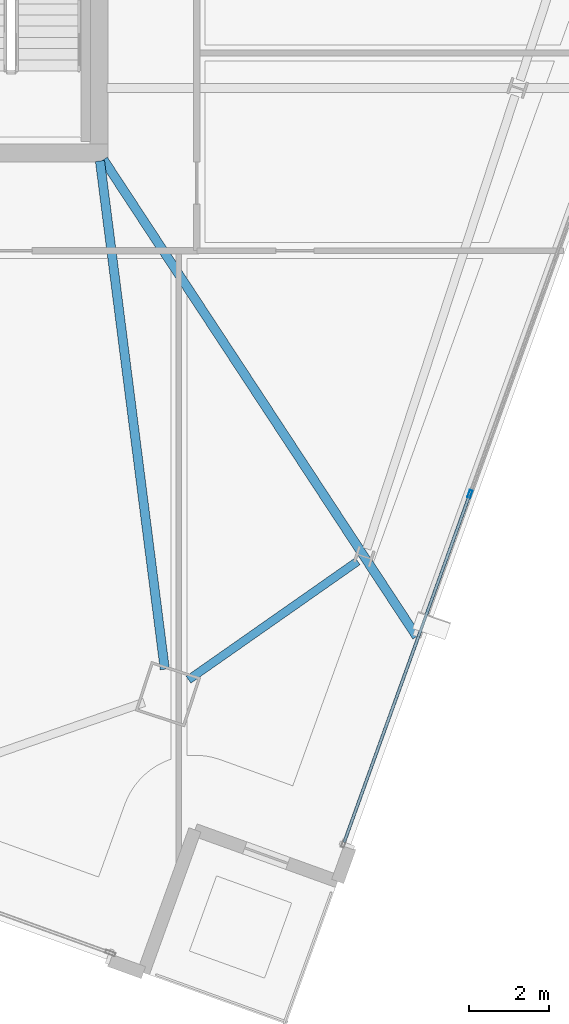
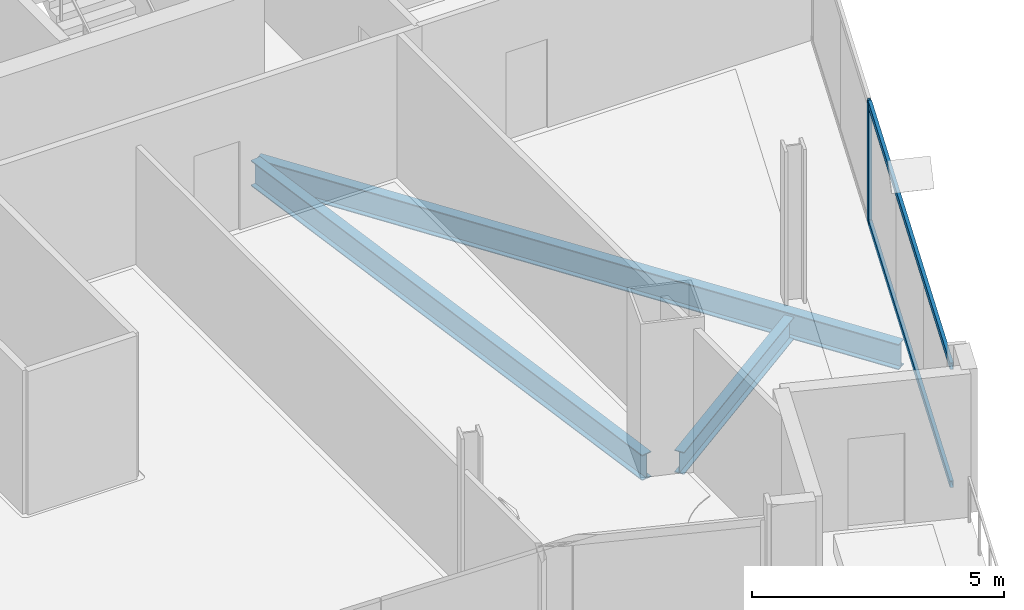
# One storey, part 9 of 27: 3 beams, 3 members, 1 element without a shape of its own.
"""IFC4 building model written with IfcOpenShell, lengths in metres."""

from ifc_helpers import new_model, si_unit, direction, frame, origin, origin_2d, place, context, subcontext, project, spatial, hollow_rectangle, i_section, extrude, material, material_profile, profile_set, type_object, element, aggregate, save


model = new_model("IFC4")

# Units and contexts
model_context = context("Model", 3, precision=1e-05, world=origin(), true_north=direction((0.0, 1.0)))
body_context = subcontext(model_context, "Body", "Model", "MODEL_VIEW")
ifc_project = project(units=[si_unit("LENGTHUNIT", "METRE"), si_unit("AREAUNIT", "SQUARE_METRE"), si_unit("VOLUMEUNIT", "CUBIC_METRE"), si_unit("PLANEANGLEUNIT", "RADIAN"), si_unit("MASSUNIT", "GRAM", prefix="KILO")], contexts=[model_context])

# Site, building, storey
site_placement = place(None, origin())
site = spatial("IfcSite", under=ifc_project, at=site_placement, CompositionType="ELEMENT")
building_placement = place(site_placement, origin())
building = spatial("IfcBuilding", under=site, at=building_placement, Name="Haldenkirk Collegiate Tower", CompositionType="ELEMENT")
storey_placement = place(building_placement, frame((0.0, 0.0, 263.699951171875)))
storey = spatial("IfcBuildingStorey", under=building, at=storey_placement, Name="L66", CompositionType="ELEMENT", Elevation=263.699951171875)

# Beams
ifc_material_1 = material(Name="Steel ASTM A992 Grade 50", Category="steel")
ifc_material_profile_1 = material_profile(ifc_material_1, i_section(OverallWidth=0.22998046875, OverallDepth=0.616943359375, WebThickness=0.01318359375, FlangeThickness=0.022216796875, at=origin_2d()), Name="W24X94")
ifc_profile_set_1 = profile_set([ifc_material_profile_1], Name="Steel ASTM A992 Grade 50")
beam_type_1 = type_object("IfcBeamType", Name="BM-GIRDER-W24X94", PredefinedType="BEAM", material=ifc_profile_set_1)
beam_1_placement = place(storey_placement, frame((46.6484375, 5.0693359375, -0.578369140625), z_axis=(-0.126462976839, 0.991971327957, 0.0), x_axis=(-0.991971327957, -0.126462976839, 0.0)))
element("IfcBeam", 1, at=beam_1_placement, inside=storey, type_object=beam_type_1, Name="L66 primary floor girder 01", PredefinedType="BEAM", context=body_context, shape_type="SweptSolid", body=[
    extrude(i_section(OverallWidth=0.22998046875, OverallDepth=0.616943359375, WebThickness=0.01318359375, FlangeThickness=0.022216796875, at=origin_2d()), origin(), (0.0, 0.0, 1.0), 12.830322265625),
])
beam_2_placement = place(storey_placement, frame((52.9580078125, 5.88720703125, -0.578369140625), z_axis=(-0.549092302412, 0.835761714504, 0.0), x_axis=(-0.835761714504, -0.549092302412, 0.0)))
element("IfcBeam", 2, at=beam_2_placement, inside=storey, type_object=beam_type_1, Name="L66 primary floor girder 05", PredefinedType="BEAM", context=body_context, shape_type="SweptSolid", body=[
    extrude(i_section(OverallWidth=0.22998046875, OverallDepth=0.616943359375, WebThickness=0.01318359375, FlangeThickness=0.022216796875, at=origin_2d()), origin(), (0.0, 0.0, 1.0), 14.2880859375),
])
ifc_material_profile_2 = material_profile(ifc_material_1, i_section(OverallWidth=0.2099609375, OverallDepth=0.537109375, WebThickness=0.010986328125, FlangeThickness=0.017333984375, at=origin_2d()), Name="W21X68")
ifc_profile_set_2 = profile_set([ifc_material_profile_2], Name="Steel ASTM A992 Grade 50")
beam_type_2 = type_object("IfcBeamType", Name="BM-SPANDREL-W21X68", PredefinedType="SPANDREL", material=ifc_profile_set_2)
beam_3_placement = place(storey_placement, frame((47.243896484375, 4.805908203125, -0.538330078125), z_axis=(0.818943373955, 0.573874333156, 0.0), x_axis=(-0.573874333156, 0.818943373955, 0.0)))
element("IfcBeam", 3, at=beam_3_placement, inside=storey, type_object=beam_type_2, Name="L66 perimeter spandrel beam 01", PredefinedType="SPANDREL", context=body_context, shape_type="SweptSolid", body=[
    extrude(i_section(OverallWidth=0.2099609375, OverallDepth=0.537109375, WebThickness=0.010986328125, FlangeThickness=0.017333984375, at=origin_2d()), origin(), (0.0, 0.0, 1.0), 5.16943359375),
])

# Curtain wall, members
ifc_material_2 = material(Name="Anodised architectural bronze aluminium", Category="aluminium")
curtain_wall_type = type_object("IfcCurtainWallType", Name="CW-SYS2-CONCAVE", PredefinedType="USERDEFINED", material=ifc_material_2)
curtain_wall_placement = place(storey_placement, origin())
curtain_wall = element("IfcCurtainWall", 4, at=curtain_wall_placement, inside=storey, type_object=curtain_wall_type, Name="L66 South concave recessed bronze-anodised curtain wall", ObjectType="UNITISED CURTAIN WALL", PredefinedType="USERDEFINED")
ifc_material_profile_3 = material_profile(ifc_material_2, hollow_rectangle(XDim=0.074951171875, YDim=0.18994140625, WallThickness=0.0048828125, at=origin_2d()), Name="CW-MUL-02")
ifc_profile_set_3 = profile_set([ifc_material_profile_3], Name="Anodised architectural bronze aluminium")
member_type_1 = type_object("IfcMemberType", Name="CW-MUL-02", PredefinedType="MULLION", material=ifc_profile_set_3)
member_1_placement = place(storey_placement, frame((54.289306640625, 9.456787109375, 0.0), z_axis=(0.0, 0.0, 1.0), x_axis=(0.940584906317, -0.339558587006, 0.0)))
member_1 = element("IfcMember", 5, at=member_1_placement, type_object=member_type_1, Name="CW-02 mullion 4", PredefinedType="MULLION", context=body_context, shape_type="SweptSolid", body=[
    extrude(hollow_rectangle(XDim=0.074951171875, YDim=0.18994140625, WallThickness=0.0048828125, at=origin_2d()), origin(), (0.0, 0.0, 1.0), 2.93798828125),
])
ifc_material_profile_4 = material_profile(ifc_material_2, hollow_rectangle(XDim=0.074951171875, YDim=0.159912109375, WallThickness=0.0048828125, at=origin_2d()), Name="CW-TRN-02")
ifc_profile_set_4 = profile_set([ifc_material_profile_4], Name="Anodised architectural bronze aluminium")
member_type_2 = type_object("IfcMemberType", Name="CW-TRN-02", PredefinedType="USERDEFINED", material=ifc_profile_set_4)
member_2_placement = place(storey_placement, frame((54.276611328125, 9.42138671875, 0.03759765625), z_axis=(-0.339569124437, -0.940581102154, 0.0), x_axis=(0.940581102154, -0.339569124437, 0.0)))
member_2 = element("IfcMember", 6, at=member_2_placement, type_object=member_type_2, Name="CW-02 transom 4.1", ObjectType="TRANSOM", PredefinedType="USERDEFINED", context=body_context, shape_type="SweptSolid", body=[
    extrude(hollow_rectangle(XDim=0.074951171875, YDim=0.159912109375, WallThickness=0.0048828125, at=origin_2d()), origin(), (0.0, 0.0, 1.0), 9.2373046875),
])
member_3_placement = place(storey_placement, frame((54.276611328125, 9.42138671875, 2.900634765625), z_axis=(-0.339569124437, -0.940581102154, 0.0), x_axis=(0.940581102154, -0.339569124437, 0.0)))
member_3 = element("IfcMember", 7, at=member_3_placement, type_object=member_type_2, Name="CW-02 transom 4.2", ObjectType="TRANSOM", PredefinedType="USERDEFINED", context=body_context, shape_type="SweptSolid", body=[
    extrude(hollow_rectangle(XDim=0.074951171875, YDim=0.159912109375, WallThickness=0.0048828125, at=origin_2d()), origin(), (0.0, 0.0, 1.0), 9.2373046875),
])
aggregate(curtain_wall, [member_1, member_2, member_3])

save(model, "model.ifc")
